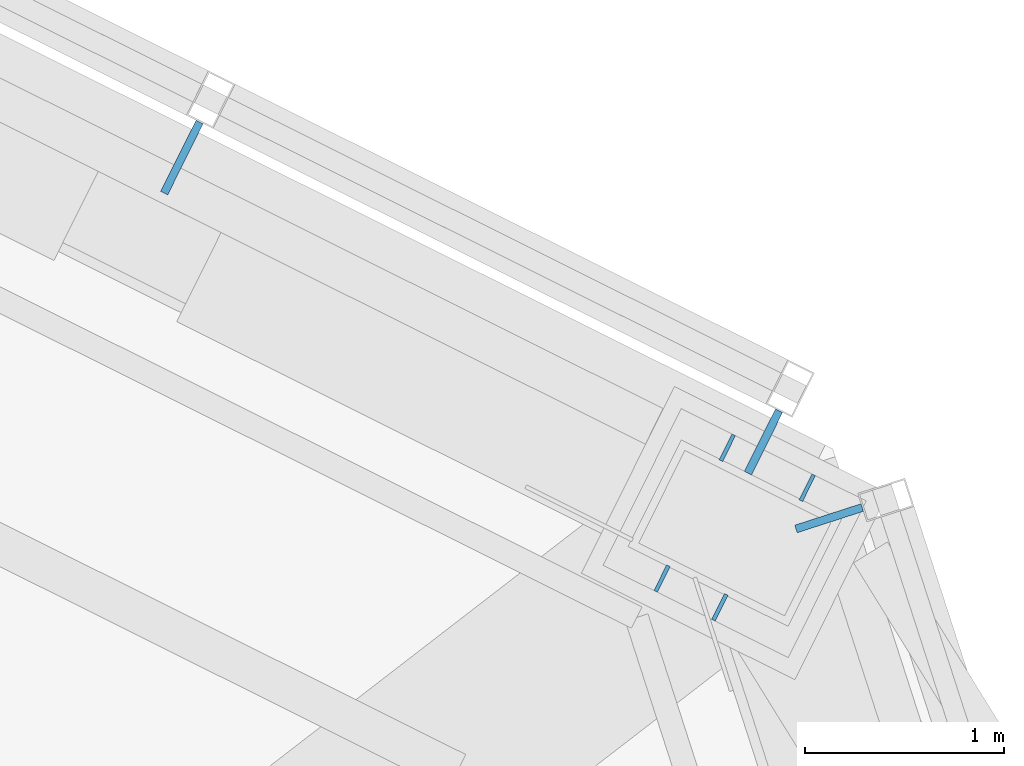
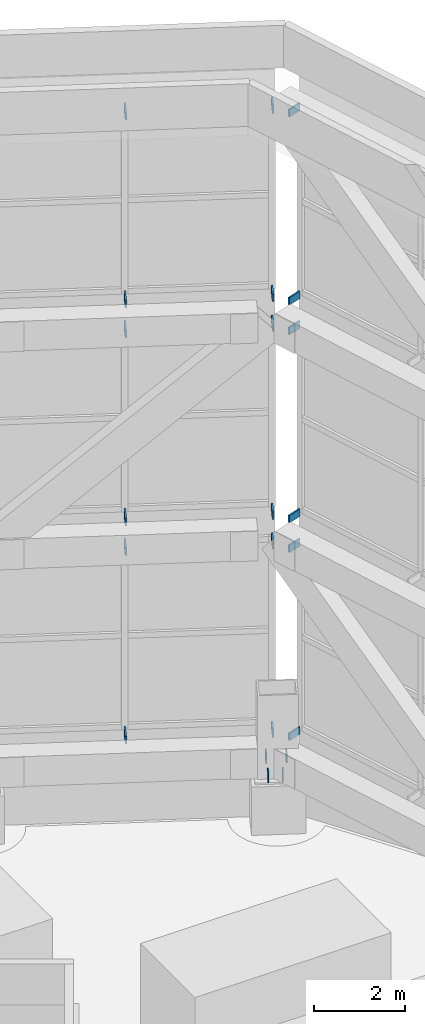
# One storey, part 43 of 46: 22 discrete accessories.
"""IFC4 building model written with IfcOpenShell, lengths in metres."""

from ifc_helpers import new_model, si_unit, direction, frame, origin, origin_2d, place, context, subcontext, project, spatial, rectangle, extrude, material, layer, layer_set, type_object, element, save


model = new_model("IFC4")

# Units and contexts
model_context = context("Model", 3, precision=1e-05, world=origin(), true_north=direction((0.0, 1.0)))
body_context = subcontext(model_context, "Body", "Model", "MODEL_VIEW")
ifc_project = project(units=[si_unit("LENGTHUNIT", "METRE"), si_unit("AREAUNIT", "SQUARE_METRE"), si_unit("VOLUMEUNIT", "CUBIC_METRE"), si_unit("PLANEANGLEUNIT", "RADIAN"), si_unit("MASSUNIT", "GRAM", prefix="KILO")], contexts=[model_context])

# Site, building, storey
site_placement = place(None, origin())
site = spatial("IfcSite", under=ifc_project, at=site_placement, CompositionType="ELEMENT")
building_placement = place(site_placement, origin())
building = spatial("IfcBuilding", under=site, at=building_placement, Name="Vanh Sen Convention Tower", CompositionType="ELEMENT")
storey_placement = place(building_placement, frame((0.0, 0.0, 305.0)))
storey = spatial("IfcBuildingStorey", under=building, at=storey_placement, Name="Roof level", CompositionType="ELEMENT", Elevation=305.0)

# Discrete accessories
ifc_material_1 = material(Name="Steel S355", Category="steel")
ifc_layer = layer(ifc_material_1, 0.02001953125)
ifc_layer_set = layer_set([ifc_layer], Name="Steel S355")
discrete_accessory_type_1 = type_object("IfcDiscreteAccessoryType", Name="Crown base plate stiffener 140 x 300 x 20", PredefinedType="USERDEFINED", material=ifc_layer_set)
for number, where, z_axis, x_axis, name in (
    (1, (16.177490234375, 12.53076171875, 1.34521484375), (0.0, 0.0, 1.0), (-0.44619781311, -0.894934361602, 0.0), "STIFFENER crown column 04 rib 1"),
    (2, (16.46826171875, 12.3857421875, 1.34521484375), (0.0, 0.0, 1.0), (-0.44619781311, -0.894934361602, 0.0), "STIFFENER crown column 04 rib 2"),
    (3, (16.50537109375, 13.1884765625, 1.34521484375), (0.0, 0.0, 1.0), (-0.44619781311, -0.894934361602, 0.0), "STIFFENER crown column 04 rib 3"),
    (4, (16.907958984375, 12.98779296875, 1.34521484375), (0.0, 0.0, 1.0), (-0.44619781311, -0.894934361602, 0.0), "STIFFENER crown column 04 rib 4"),
):
    element("IfcDiscreteAccessory", number, at=place(storey_placement, frame(where, z_axis=z_axis, x_axis=x_axis)), inside=storey, type_object=discrete_accessory_type_1, Name=name, ObjectType="STIFFENER", PredefinedType="USERDEFINED", context=body_context, shape_type="SweptSolid", body=[
        extrude(rectangle(XDim=0.14501953125, YDim=0.02001953125, at=origin_2d()), origin(), (0.0, 0.0, 1.0), 0.300048828125),
    ])
ifc_material_2 = material(Name="Steel S355", Category="steel")
discrete_accessory_type_2 = type_object("IfcDiscreteAccessoryType", Name="Crown screen bracket 40 x 200", PredefinedType="BRACKET", material=ifc_material_2)
for number, where, z_axis, x_axis, name in (
    (5, (17.017578125, 12.833984375, 2.044921875), (0.0, 0.0, 1.0), (0.95147255766, 0.307733605607, 0.0), "Crown screen bracket 03-1-3"),
    (6, (17.017578125, 12.833984375, 7.11328125), (0.0, 0.0, 1.0), (0.95147255766, 0.307733605607, 0.0), "Crown screen bracket 03-1-6"),
    (7, (17.017578125, 12.833984375, 7.9130859375), (0.0, 0.0, 1.0), (0.95147255766, 0.307733605607, 0.0), "Crown screen bracket 03-2-3"),
    (8, (17.017578125, 12.833984375, 12.98193359375), (0.0, 0.0, 1.0), (0.95147255766, 0.307733605607, 0.0), "Crown screen bracket 03-2-6"),
    (9, (17.017578125, 12.833984375, 13.78173828125), (0.0, 0.0, 1.0), (0.95147255766, 0.307733605607, 0.0), "Crown screen bracket 03-3-3"),
    (10, (17.017578125, 12.833984375, 18.85009765625), (0.0, 0.0, 1.0), (0.95147255766, 0.307733605607, 0.0), "Crown screen bracket 03-3-6"),
    (11, (16.6875, 13.2177734375, 2.044921875), (0.0, 0.0, 1.0), (0.446204060919, 0.894931246532, 0.0), "Crown screen bracket 04-1-1"),
):
    element("IfcDiscreteAccessory", number, at=place(storey_placement, frame(where, z_axis=z_axis, x_axis=x_axis)), inside=storey, type_object=discrete_accessory_type_2, Name=name, PredefinedType="BRACKET", context=body_context, shape_type="SweptSolid", body=[
        extrude(rectangle(XDim=0.35009765625, YDim=0.0400390625, at=origin_2d()), origin(), (0.0, 0.0, 1.0), 0.199951171875),
    ])
discrete_accessory_1_placement = place(storey_placement, frame((13.761962890625, 14.6484375, 2.044921875), z_axis=(0.0, 0.0, 1.0), x_axis=(0.446204060919, 0.894931246532, 0.0)))
element("IfcDiscreteAccessory", 12, at=discrete_accessory_1_placement, inside=storey, type_object=discrete_accessory_type_2, Name="Crown screen bracket 04-1-2", PredefinedType="BRACKET", context=body_context, shape_type="SweptSolid", body=[
    extrude(rectangle(XDim=0.39990234375, YDim=0.0400390625, at=origin_2d()), origin(), (0.0, 0.0, 1.0), 0.199951171875),
])
discrete_accessory_2_placement = place(storey_placement, frame((16.6875, 13.2177734375, 7.11328125), z_axis=(0.0, 0.0, 1.0), x_axis=(0.446204060919, 0.894931246532, 0.0)))
element("IfcDiscreteAccessory", 13, at=discrete_accessory_2_placement, inside=storey, type_object=discrete_accessory_type_2, Name="Crown screen bracket 04-1-4", PredefinedType="BRACKET", context=body_context, shape_type="SweptSolid", body=[
    extrude(rectangle(XDim=0.35009765625, YDim=0.0400390625, at=origin_2d()), origin(), (0.0, 0.0, 1.0), 0.199951171875),
])
discrete_accessory_3_placement = place(storey_placement, frame((13.761962890625, 14.6484375, 7.11328125), z_axis=(0.0, 0.0, 1.0), x_axis=(0.446204060919, 0.894931246532, 0.0)))
element("IfcDiscreteAccessory", 14, at=discrete_accessory_3_placement, inside=storey, type_object=discrete_accessory_type_2, Name="Crown screen bracket 04-1-5", PredefinedType="BRACKET", context=body_context, shape_type="SweptSolid", body=[
    extrude(rectangle(XDim=0.39990234375, YDim=0.0400390625, at=origin_2d()), origin(), (0.0, 0.0, 1.0), 0.199951171875),
])
discrete_accessory_4_placement = place(storey_placement, frame((16.6875, 13.2177734375, 7.9130859375), z_axis=(0.0, 0.0, 1.0), x_axis=(0.446204060919, 0.894931246532, 0.0)))
element("IfcDiscreteAccessory", 15, at=discrete_accessory_4_placement, inside=storey, type_object=discrete_accessory_type_2, Name="Crown screen bracket 04-2-1", PredefinedType="BRACKET", context=body_context, shape_type="SweptSolid", body=[
    extrude(rectangle(XDim=0.35009765625, YDim=0.0400390625, at=origin_2d()), origin(), (0.0, 0.0, 1.0), 0.199951171875),
])
discrete_accessory_5_placement = place(storey_placement, frame((13.761962890625, 14.6484375, 7.9130859375), z_axis=(0.0, 0.0, 1.0), x_axis=(0.446204060919, 0.894931246532, 0.0)))
element("IfcDiscreteAccessory", 16, at=discrete_accessory_5_placement, inside=storey, type_object=discrete_accessory_type_2, Name="Crown screen bracket 04-2-2", PredefinedType="BRACKET", context=body_context, shape_type="SweptSolid", body=[
    extrude(rectangle(XDim=0.39990234375, YDim=0.0400390625, at=origin_2d()), origin(), (0.0, 0.0, 1.0), 0.199951171875),
])
discrete_accessory_6_placement = place(storey_placement, frame((16.6875, 13.2177734375, 12.98193359375), z_axis=(0.0, 0.0, 1.0), x_axis=(0.446204060919, 0.894931246532, 0.0)))
element("IfcDiscreteAccessory", 17, at=discrete_accessory_6_placement, inside=storey, type_object=discrete_accessory_type_2, Name="Crown screen bracket 04-2-4", PredefinedType="BRACKET", context=body_context, shape_type="SweptSolid", body=[
    extrude(rectangle(XDim=0.35009765625, YDim=0.0400390625, at=origin_2d()), origin(), (0.0, 0.0, 1.0), 0.199951171875),
])
discrete_accessory_7_placement = place(storey_placement, frame((13.761962890625, 14.6484375, 12.98193359375), z_axis=(0.0, 0.0, 1.0), x_axis=(0.446204060919, 0.894931246532, 0.0)))
element("IfcDiscreteAccessory", 18, at=discrete_accessory_7_placement, inside=storey, type_object=discrete_accessory_type_2, Name="Crown screen bracket 04-2-5", PredefinedType="BRACKET", context=body_context, shape_type="SweptSolid", body=[
    extrude(rectangle(XDim=0.39990234375, YDim=0.0400390625, at=origin_2d()), origin(), (0.0, 0.0, 1.0), 0.199951171875),
])
discrete_accessory_8_placement = place(storey_placement, frame((16.6875, 13.2177734375, 13.78173828125), z_axis=(0.0, 0.0, 1.0), x_axis=(0.446204060919, 0.894931246532, 0.0)))
element("IfcDiscreteAccessory", 19, at=discrete_accessory_8_placement, inside=storey, type_object=discrete_accessory_type_2, Name="Crown screen bracket 04-3-1", PredefinedType="BRACKET", context=body_context, shape_type="SweptSolid", body=[
    extrude(rectangle(XDim=0.35009765625, YDim=0.0400390625, at=origin_2d()), origin(), (0.0, 0.0, 1.0), 0.199951171875),
])
discrete_accessory_9_placement = place(storey_placement, frame((13.761962890625, 14.6484375, 13.78173828125), z_axis=(0.0, 0.0, 1.0), x_axis=(0.446204060919, 0.894931246532, 0.0)))
element("IfcDiscreteAccessory", 20, at=discrete_accessory_9_placement, inside=storey, type_object=discrete_accessory_type_2, Name="Crown screen bracket 04-3-2", PredefinedType="BRACKET", context=body_context, shape_type="SweptSolid", body=[
    extrude(rectangle(XDim=0.39990234375, YDim=0.0400390625, at=origin_2d()), origin(), (0.0, 0.0, 1.0), 0.199951171875),
])
discrete_accessory_10_placement = place(storey_placement, frame((16.6875, 13.2177734375, 18.85009765625), z_axis=(0.0, 0.0, 1.0), x_axis=(0.446204060919, 0.894931246532, 0.0)))
element("IfcDiscreteAccessory", 21, at=discrete_accessory_10_placement, inside=storey, type_object=discrete_accessory_type_2, Name="Crown screen bracket 04-3-4", PredefinedType="BRACKET", context=body_context, shape_type="SweptSolid", body=[
    extrude(rectangle(XDim=0.35009765625, YDim=0.0400390625, at=origin_2d()), origin(), (0.0, 0.0, 1.0), 0.199951171875),
])
discrete_accessory_11_placement = place(storey_placement, frame((13.761962890625, 14.6484375, 18.85009765625), z_axis=(0.0, 0.0, 1.0), x_axis=(0.446204060919, 0.894931246532, 0.0)))
element("IfcDiscreteAccessory", 22, at=discrete_accessory_11_placement, inside=storey, type_object=discrete_accessory_type_2, Name="Crown screen bracket 04-3-5", PredefinedType="BRACKET", context=body_context, shape_type="SweptSolid", body=[
    extrude(rectangle(XDim=0.39990234375, YDim=0.0400390625, at=origin_2d()), origin(), (0.0, 0.0, 1.0), 0.199951171875),
])

save(model, "model.ifc")
